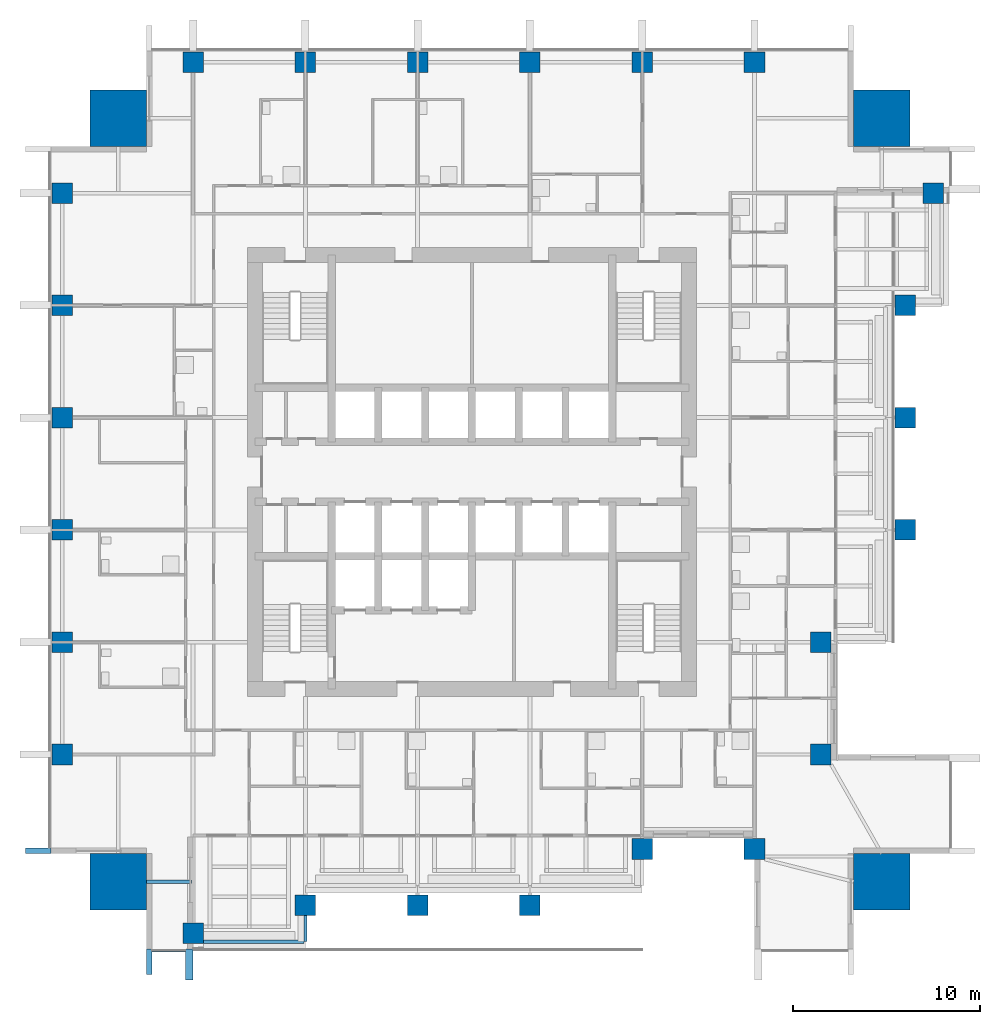
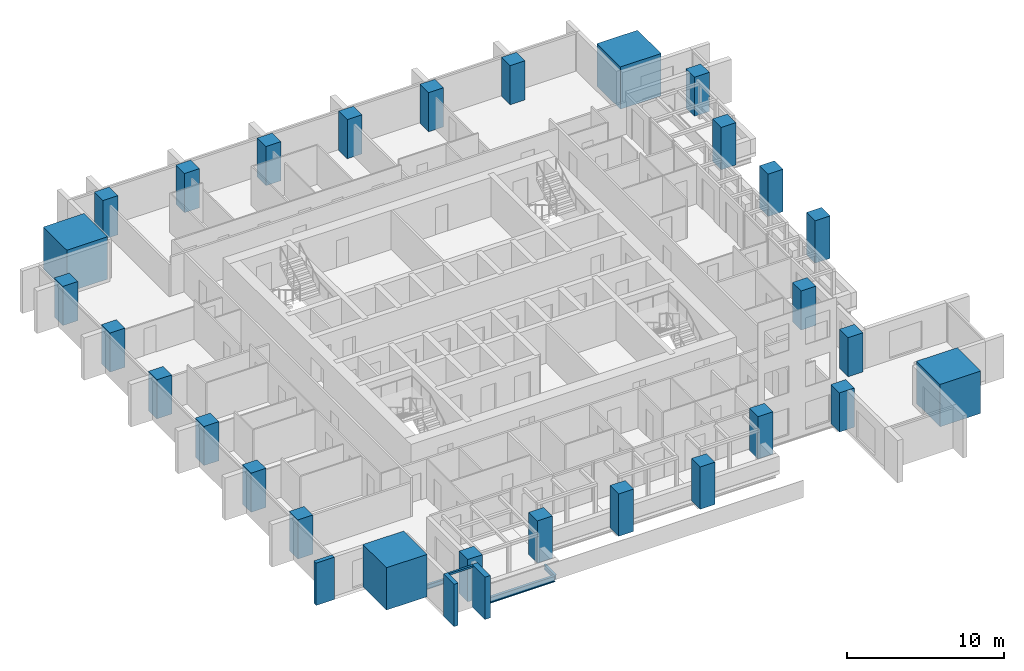
# One storey, part 1 of 16: 28 columns, 4 members, 3 beams, 2 elements without a shape of their own.
"""IFC4 building model written with IfcOpenShell, lengths in metres."""

from ifc_helpers import new_model, si_unit, direction, frame, origin, origin_2d, place, context, subcontext, project, spatial, rectangle, i_section, extrude, material, material_profile, profile_set, type_object, element, aggregate, save


model = new_model("IFC4")

# Units and contexts
model_context = context("Model", 3, precision=1e-05, world=origin(), true_north=direction((0.0, 1.0)))
body_context = subcontext(model_context, "Body", "Model", "MODEL_VIEW")
ifc_project = project(units=[si_unit("LENGTHUNIT", "METRE"), si_unit("AREAUNIT", "SQUARE_METRE"), si_unit("VOLUMEUNIT", "CUBIC_METRE"), si_unit("PLANEANGLEUNIT", "RADIAN"), si_unit("MASSUNIT", "GRAM", prefix="KILO")], contexts=[model_context])

# Site, building, storey
site_placement = place(None, origin())
site = spatial("IfcSite", under=ifc_project, at=site_placement, CompositionType="ELEMENT")
building_placement = place(site_placement, origin())
building = spatial("IfcBuilding", under=site, at=building_placement, Name="Amberfall Residences", CompositionType="ELEMENT")
storey_placement = place(building_placement, frame((0.0, 0.0, 108.39990234375)))
storey = spatial("IfcBuildingStorey", under=building, at=storey_placement, Name="L29", CompositionType="ELEMENT", Elevation=108.39990234375)

# Columns
ifc_material_1 = material(Name="Concrete C70", Category="concrete")
ifc_material_profile_1 = material_profile(ifc_material_1, rectangle(XDim=1.10009765625, YDim=1.10009765625, at=origin_2d()), Name="Column 1100 x 1100 C70")
ifc_profile_set_1 = profile_set([ifc_material_profile_1], Name="Concrete C70")
column_type_1 = type_object("IfcColumnType", Name="Column 1100 x 1100 C70", PredefinedType="COLUMN", material=ifc_profile_set_1)
for number, where, z_axis, x_axis, name in (
    (1, (59.60009765625, 20.85009765625, 0.0), (0.0, 0.0, 1.0), (1.0, 0.0, 0.0), "Column C2 L29 S1"),
    (2, (65.60009765625, 22.35009765625, 0.0), (0.0, 0.0, 1.0), (1.0, 0.0, 0.0), "Column C2 L29 S2"),
    (3, (71.60009765625, 22.35009765625, 0.0), (0.0, 0.0, 1.0), (1.0, 0.0, 0.0), "Column C2 L29 S3"),
    (4, (77.60009765625, 22.35009765625, 0.0), (0.0, 0.0, 1.0), (1.0, 0.0, 0.0), "Column C2 L29 S4"),
    (5, (83.60009765625, 25.35009765625, 0.0), (0.0, 0.0, 1.0), (1.0, 0.0, 0.0), "Column C2 L29 S5"),
):
    element("IfcColumn", number, at=place(storey_placement, frame(where, z_axis=z_axis, x_axis=x_axis)), inside=storey, type_object=column_type_1, Name=name, PredefinedType="COLUMN", context=body_context, shape_type="SweptSolid", body=[
        extrude(rectangle(XDim=1.10009765625, YDim=1.10009765625, at=origin_2d()), origin(), (0.0, 0.0, 1.0), 3.300048828125),
    ])
for number, where, z_axis, x_axis, name in (
    (6, (89.60009765625, 25.35009765625, 0.0), (0.0, 0.0, 1.0), (1.0, 0.0, 0.0), "Column C2 L29 S6"),
    (7, (93.14990234375, 30.39990234375, 0.0), (0.0, 0.0, 1.0), (1.0, 0.0, 0.0), "Column C2 L29 E1"),
    (8, (93.14990234375, 36.39990234375, 0.0), (0.0, 0.0, 1.0), (1.0, 0.0, 0.0), "Column C2 L29 E2"),
):
    element("IfcColumn", number, at=place(storey_placement, frame(where, z_axis=z_axis, x_axis=x_axis)), inside=storey, type_object=column_type_1, Name=name, PredefinedType="COLUMN", context=body_context, shape_type="SweptSolid", body=[
        extrude(rectangle(XDim=1.10009765625, YDim=1.10009765625, at=origin_2d()), origin(), (0.0, 0.0, 1.0), 3.050048828125),
    ])
for number, where, z_axis, x_axis, name in (
    (9, (97.64990234375, 42.39990234375, 0.0), (0.0, 0.0, 1.0), (1.0, 0.0, 0.0), "Column C2 L29 E3"),
    (10, (97.64990234375, 48.39990234375, 0.0), (0.0, 0.0, 1.0), (1.0, 0.0, 0.0), "Column C2 L29 E4"),
    (11, (97.64990234375, 54.39990234375, 0.0), (0.0, 0.0, 1.0), (1.0, 0.0, 0.0), "Column C2 L29 E5"),
):
    element("IfcColumn", number, at=place(storey_placement, frame(where, z_axis=z_axis, x_axis=x_axis)), inside=storey, type_object=column_type_1, Name=name, PredefinedType="COLUMN", context=body_context, shape_type="SweptSolid", body=[
        extrude(rectangle(XDim=1.10009765625, YDim=1.10009765625, at=origin_2d()), origin(), (0.0, 0.0, 1.0), 3.300048828125),
    ])
for number, where, z_axis, x_axis, name in (
    (12, (99.14990234375, 60.39990234375, 0.0), (0.0, 0.0, 1.0), (1.0, 0.0, 0.0), "Column C2 L29 E6"),
    (13, (59.60009765625, 67.39990234375, 0.0), (0.0, 0.0, 1.0), (1.0, 0.0, 0.0), "Column C2 L29 N1"),
    (14, (65.60009765625, 67.39990234375, 0.0), (0.0, 0.0, 1.0), (1.0, 0.0, 0.0), "Column C2 L29 N2"),
    (15, (71.60009765625, 67.39990234375, 0.0), (0.0, 0.0, 1.0), (1.0, 0.0, 0.0), "Column C2 L29 N3"),
    (16, (77.60009765625, 67.39990234375, 0.0), (0.0, 0.0, 1.0), (1.0, 0.0, 0.0), "Column C2 L29 N4"),
    (17, (83.60009765625, 67.39990234375, 0.0), (0.0, 0.0, 1.0), (1.0, 0.0, 0.0), "Column C2 L29 N5"),
    (18, (89.60009765625, 67.39990234375, 0.0), (0.0, 0.0, 1.0), (1.0, 0.0, 0.0), "Column C2 L29 N6"),
    (19, (52.60009765625, 30.39990234375, 0.0), (0.0, 0.0, 1.0), (1.0, 0.0, 0.0), "Column C2 L29 W1"),
    (20, (52.60009765625, 36.39990234375, 0.0), (0.0, 0.0, 1.0), (1.0, 0.0, 0.0), "Column C2 L29 W2"),
    (21, (52.60009765625, 42.39990234375, 0.0), (0.0, 0.0, 1.0), (1.0, 0.0, 0.0), "Column C2 L29 W3"),
    (22, (52.60009765625, 48.39990234375, 0.0), (0.0, 0.0, 1.0), (1.0, 0.0, 0.0), "Column C2 L29 W4"),
    (23, (52.60009765625, 54.39990234375, 0.0), (0.0, 0.0, 1.0), (1.0, 0.0, 0.0), "Column C2 L29 W5"),
    (24, (52.60009765625, 60.39990234375, 0.0), (0.0, 0.0, 1.0), (1.0, 0.0, 0.0), "Column C2 L29 W6"),
):
    element("IfcColumn", number, at=place(storey_placement, frame(where, z_axis=z_axis, x_axis=x_axis)), inside=storey, type_object=column_type_1, Name=name, PredefinedType="COLUMN", context=body_context, shape_type="SweptSolid", body=[
        extrude(rectangle(XDim=1.10009765625, YDim=1.10009765625, at=origin_2d()), origin(), (0.0, 0.0, 1.0), 3.050048828125),
    ])
ifc_material_profile_2 = material_profile(ifc_material_1, rectangle(XDim=3.0, YDim=3.0, at=origin_2d()), Name="Mega column 3000 x 3000 C70")
ifc_profile_set_2 = profile_set([ifc_material_profile_2], Name="Concrete C70")
column_type_2 = type_object("IfcColumnType", Name="Mega column 3000 x 3000 C70", PredefinedType="COLUMN", material=ifc_profile_set_2)
for number, where, z_axis, x_axis, name in (
    (25, (55.60009765625, 23.60009765625, 0.0), (0.0, 0.0, 1.0), (1.0, 0.0, 0.0), "Mega column MC2 L29 SW"),
    (26, (96.39990234375, 23.60009765625, 0.0), (0.0, 0.0, 1.0), (1.0, 0.0, 0.0), "Mega column MC2 L29 SE"),
    (27, (96.39990234375, 64.39990234375, 0.0), (0.0, 0.0, 1.0), (1.0, 0.0, 0.0), "Mega column MC2 L29 NE"),
    (28, (55.60009765625, 64.39990234375, 0.0), (0.0, 0.0, 1.0), (1.0, 0.0, 0.0), "Mega column MC2 L29 NW"),
):
    element("IfcColumn", number, at=place(storey_placement, frame(where, z_axis=z_axis, x_axis=x_axis)), inside=storey, type_object=column_type_2, Name=name, PredefinedType="COLUMN", context=body_context, shape_type="SweptSolid", body=[
        extrude(rectangle(XDim=3.0, YDim=3.0, at=origin_2d()), origin(), (0.0, 0.0, 1.0), 3.300048828125),
    ])

# Curtain wall, member
ifc_material_2 = material(Name="Bronze anodised aluminium and glass", Category="aluminium")
curtain_wall_type = type_object("IfcCurtainWallType", Name="Curtain wall CW1 tower unit", PredefinedType="USERDEFINED", material=ifc_material_2)
curtain_wall_1_placement = place(storey_placement, origin())
curtain_wall_1 = element("IfcCurtainWall", 29, at=curtain_wall_1_placement, inside=storey, type_object=curtain_wall_type, Name="Curtain wall L29 S S1", ObjectType="UNITISED CURTAIN WALL", PredefinedType="USERDEFINED")
ifc_material_3 = material(Name="Bronze anodised aluminium", Category="aluminium")
ifc_material_profile_3 = material_profile(ifc_material_3, rectangle(XDim=0.14990234375, YDim=0.14990234375, at=origin_2d()), Name="CW1 transom 150 x 150 bronze")
ifc_profile_set_3 = profile_set([ifc_material_profile_3], Name="Bronze anodised aluminium")
member_type_1 = type_object("IfcMemberType", Name="CW1 transom 150 x 150 bronze", PredefinedType="USERDEFINED", material=ifc_profile_set_3)
member_1_placement = place(storey_placement, frame((57.39990234375, 19.925048828125, 2.97509765625), z_axis=(1.0, 0.0, 0.0), x_axis=(0.0, 1.0, 0.0)))
member_1 = element("IfcMember", 30, at=member_1_placement, type_object=member_type_1, Name="CW1 transom 1.1", ObjectType="TRANSOM", PredefinedType="USERDEFINED", context=body_context, shape_type="SweptSolid", body=[
    extrude(rectangle(XDim=0.14990234375, YDim=0.14990234375, at=origin_2d()), origin(), (0.0, 0.0, 1.0), 1.800048828125),
])

# Beam
ifc_material_4 = material(Name="Steel S355", Category="steel")
ifc_material_profile_4 = material_profile(ifc_material_4, i_section(OverallWidth=0.171142578125, OverallDepth=0.351318359375, WebThickness=0.007080078125, FlangeThickness=0.009765625, FilletRadius=0.01025390625, at=origin_2d()), Name="UB 356x171x45")
ifc_profile_set_4 = profile_set([ifc_material_profile_4], Name="Steel S355")
beam_type_1 = type_object("IfcBeamType", Name="Cantilever girder UB 356x171x45", PredefinedType="BEAM", material=ifc_profile_set_4)
beam_1_placement = place(storey_placement, frame((65.60009765625, 21.800048828125, -0.425537109375), z_axis=(0.0, -1.0, 0.0), x_axis=(1.0, 0.0, 0.0)))
element("IfcBeam", 31, at=beam_1_placement, inside=storey, type_object=beam_type_1, Name="Cantilever girder B8 L29 06", PredefinedType="BEAM", context=body_context, shape_type="SweptSolid", body=[
    extrude(i_section(OverallWidth=0.171142578125, OverallDepth=0.351318359375, WebThickness=0.007080078125, FlangeThickness=0.009765625, FilletRadius=0.01025390625, at=origin_2d()), origin(), (0.0, 0.0, 1.0), 1.400146484375),
])

# Member
ifc_material_profile_5 = material_profile(ifc_material_3, rectangle(XDim=1.35009765625, YDim=0.300048828125, at=origin_2d()), Name="Corner fin 300 x 1350 bronze")
ifc_profile_set_5 = profile_set([ifc_material_profile_5], Name="Bronze anodised aluminium")
member_type_2 = type_object("IfcMemberType", Name="Corner fin 300 x 1350 bronze", PredefinedType="MULLION", material=ifc_profile_set_5)
member_2_placement = place(storey_placement, frame((57.25, 19.324951171875, -0.25), z_axis=(0.0, 0.0, 1.0), x_axis=(0.0, 1.0, 0.0)))
member_2 = element("IfcMember", 32, at=member_2_placement, type_object=member_type_2, Name="CW FIN 1", PredefinedType="MULLION", context=body_context, shape_type="SweptSolid", body=[
    extrude(rectangle(XDim=1.35009765625, YDim=0.300048828125, at=origin_2d()), origin(), (0.0, 0.0, 1.0), 3.300048828125),
])

# Curtain wall, member
curtain_wall_2_placement = place(storey_placement, origin())
curtain_wall_2 = element("IfcCurtainWall", 33, at=curtain_wall_2_placement, inside=storey, type_object=curtain_wall_type, Name="Curtain wall L29 W W1", ObjectType="UNITISED CURTAIN WALL", PredefinedType="USERDEFINED")
member_3_placement = place(storey_placement, frame((51.324951171875, 25.25, -0.25), z_axis=(0.0, 0.0, 1.0), x_axis=(1.0, 0.0, 0.0)))
member_3 = element("IfcMember", 34, at=member_3_placement, type_object=member_type_2, Name="CW FIN 8", PredefinedType="MULLION", context=body_context, shape_type="SweptSolid", body=[
    extrude(rectangle(XDim=1.35009765625, YDim=0.300048828125, at=origin_2d()), origin(), (0.0, 0.0, 1.0), 3.300048828125),
])
aggregate(curtain_wall_2, [member_3])

# Beam
ifc_material_profile_6 = material_profile(ifc_material_4, i_section(OverallWidth=0.18994140625, OverallDepth=0.453369140625, WebThickness=0.008544921875, FlangeThickness=0.0126953125, FilletRadius=0.01025390625, at=origin_2d()), Name="UB 457x191x67")
ifc_profile_set_6 = profile_set([ifc_material_profile_6], Name="Steel S355")
beam_type_2 = type_object("IfcBeamType", Name="Edge beam UB 457x191x67", PredefinedType="SPANDREL", material=ifc_profile_set_6)
beam_2_placement = place(storey_placement, frame((60.14990234375, 20.39990234375, -0.4765625), z_axis=(1.0, 0.0, 0.0), x_axis=(0.0, 1.0, 0.0)))
element("IfcBeam", 35, at=beam_2_placement, inside=storey, type_object=beam_type_2, Name="Edge beam B1 L29 01", PredefinedType="SPANDREL", context=body_context, shape_type="SweptSolid", body=[
    extrude(i_section(OverallWidth=0.18994140625, OverallDepth=0.453369140625, WebThickness=0.008544921875, FlangeThickness=0.0126953125, FilletRadius=0.01025390625, at=origin_2d()), origin(), (0.0, 0.0, 1.0), 5.3701171875),
])

# Member
ifc_material_profile_7 = material_profile(ifc_material_3, rectangle(XDim=1.64990234375, YDim=0.39990234375, at=origin_2d()), Name="Fin 400 x 1650 bronze")
ifc_profile_set_7 = profile_set([ifc_material_profile_7], Name="Bronze anodised aluminium")
member_type_3 = type_object("IfcMemberType", Name="Fin 400 x 1650 bronze", PredefinedType="MULLION", material=ifc_profile_set_7)
member_4_placement = place(storey_placement, frame((59.39990234375, 19.175048828125, -0.25), z_axis=(0.0, 0.0, 1.0), x_axis=(0.0, 1.0, 0.0)))
member_4 = element("IfcMember", 36, at=member_4_placement, type_object=member_type_3, Name="CW FIN 2", PredefinedType="MULLION", context=body_context, shape_type="SweptSolid", body=[
    extrude(rectangle(XDim=1.64990234375, YDim=0.39990234375, at=origin_2d()), origin(), (0.0, 0.0, 1.0), 3.300048828125),
])

aggregate(curtain_wall_1, [member_2, member_4, member_1])

# Beam
ifc_material_profile_8 = material_profile(ifc_material_4, i_section(OverallWidth=0.171142578125, OverallDepth=0.351318359375, WebThickness=0.007080078125, FlangeThickness=0.009765625, FilletRadius=0.01025390625, at=origin_2d()), Name="UB 356x171x45")
ifc_profile_set_8 = profile_set([ifc_material_profile_8], Name="Steel S355")
beam_type_3 = type_object("IfcBeamType", Name="Link beam UB 356x171x45", PredefinedType="BEAM", material=ifc_profile_set_8)
beam_3_placement = place(storey_placement, frame((57.10009765625, 23.60009765625, -0.425537109375), z_axis=(1.0, 0.0, 0.0), x_axis=(0.0, 1.0, 0.0)))
element("IfcBeam", 37, at=beam_3_placement, inside=storey, type_object=beam_type_3, Name="Link beam B7 L29 50", PredefinedType="BEAM", context=body_context, shape_type="SweptSolid", body=[
    extrude(i_section(OverallWidth=0.171142578125, OverallDepth=0.351318359375, WebThickness=0.007080078125, FlangeThickness=0.009765625, FilletRadius=0.01025390625, at=origin_2d()), origin(), (0.0, 0.0, 1.0), 2.404541015625),
])

save(model, "model.ifc")
